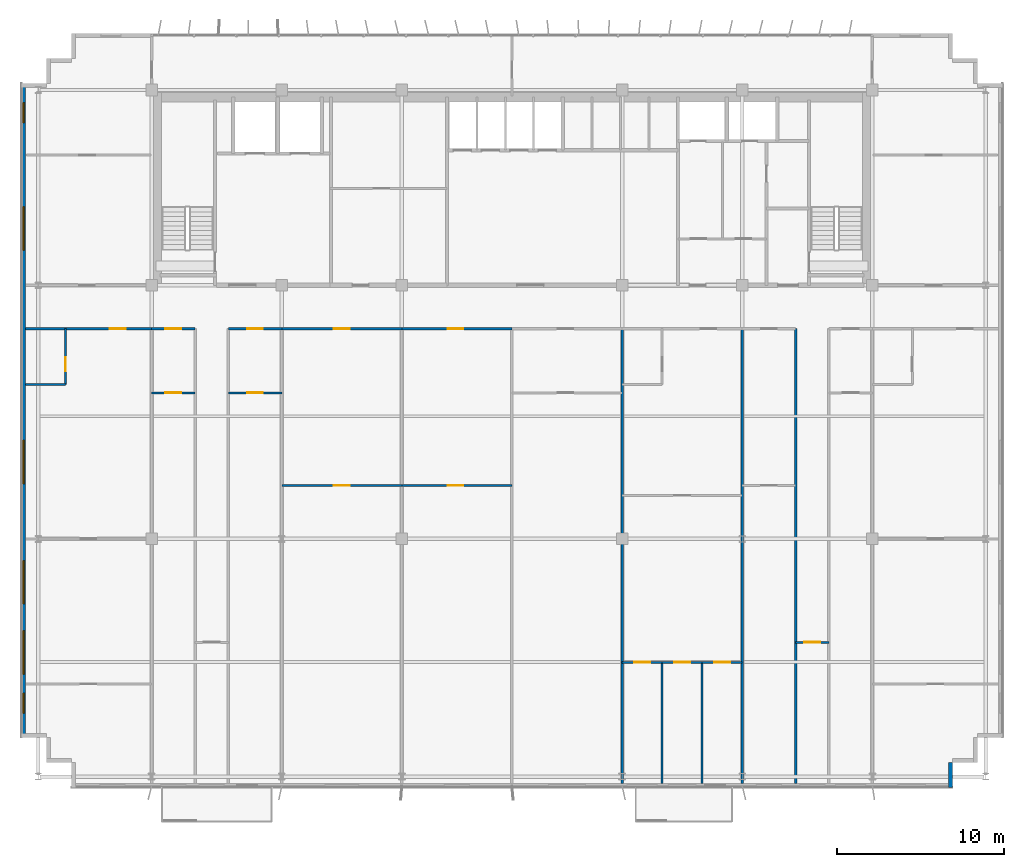
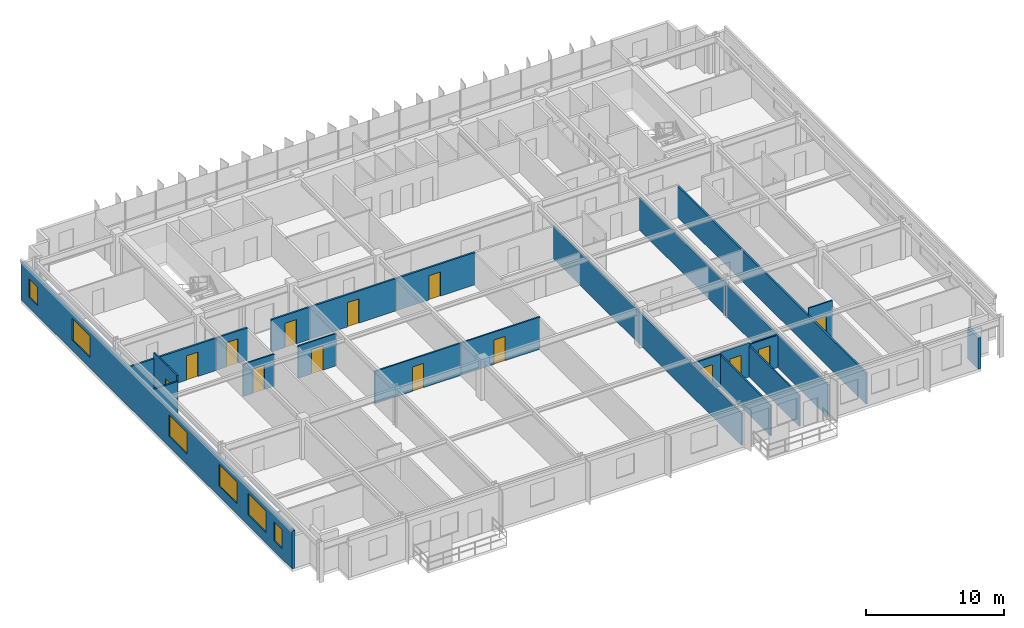
# One storey, part 15 of 20: 22 walls, 14 doors, 6 windows, 20 openings.
"""IFC4 building model written with IfcOpenShell, lengths in metres."""

from ifc_helpers import new_model, si_unit, direction, frame, frame_2d, origin, place, context, subcontext, project, spatial, rectangle, extrude, source, transform, mapped, material, layer, layer_set, type_object, element, fill, save


model = new_model("IFC4")

# Units and contexts
model_context = context("Model", 3, precision=1e-05, world=origin(), true_north=direction((0.0, 1.0)))
body_context = subcontext(model_context, "Body", "Model", "MODEL_VIEW")
ifc_project = project(units=[si_unit("LENGTHUNIT", "METRE"), si_unit("AREAUNIT", "SQUARE_METRE"), si_unit("VOLUMEUNIT", "CUBIC_METRE"), si_unit("PLANEANGLEUNIT", "RADIAN"), si_unit("MASSUNIT", "GRAM", prefix="KILO")], contexts=[model_context])

# Site, building, storey
site_placement = place(None, origin())
site = spatial("IfcSite", under=ifc_project, at=site_placement, CompositionType="ELEMENT")
building_placement = place(site_placement, origin())
building = spatial("IfcBuilding", under=site, at=building_placement, Name="Trelvane Seafront Commons", CompositionType="ELEMENT")
storey_placement = place(building_placement, frame((0.0, 0.0, 168.10009765625)))
storey = spatial("IfcBuildingStorey", under=building, at=storey_placement, Name="L44", CompositionType="ELEMENT", Elevation=168.10009765625)

# Wall, openings, windows
ifc_material_1 = material(Name="Precast concrete C40/50", Category="concrete")
ifc_layer_1 = layer(ifc_material_1, 0.239990234375, Name="ARCH-WALL-EXT240")
ifc_layer_set_1 = layer_set([ifc_layer_1], Name="Precast concrete C40/50")
wall_type_1 = type_object("IfcWallType", Name="ARCH-WALL-EXT240", PredefinedType="SOLIDWALL", material=ifc_layer_set_1)
wall_1_placement = place(storey_placement, frame((7.919921875, 6.300048828125, 0.0), z_axis=(0.0, 0.0, 1.0), x_axis=(0.0, 1.0, 0.0)))
wall_1 = element("IfcWall", 1, at=wall_1_placement, inside=storey, type_object=wall_type_1, Name="EW-L44-00868", PredefinedType="SOLIDWALL", context=body_context, shape_type="SweptSolid", body=[
    extrude(rectangle(XDim=39.199951171875, YDim=0.239990234375, at=frame_2d((19.60009765625, 0.0))), origin(), (0.0, 0.0, 1.0), 3.349853515625),
])
opening_1_placement = place(wall_1_placement, frame((1.449951171875, 0.0, 0.919921875)))
opening_1 = element("IfcOpeningElement", 2, at=opening_1_placement, cuts=wall_1, Name="Opening W05", PredefinedType="OPENING", context=body_context, shape_type="SweptSolid", body=[
    extrude(rectangle(XDim=1.199951171875, YDim=1.64990234375, at=frame_2d((0.60009765625, 0.824951171875))), frame((0.0, 0.1298828125, 0.0), z_axis=(0.0, -1.0, 0.0), x_axis=(1.0, 0.0, 0.0)), (0.0, 0.0, 1.0), 0.260009765625),
])
opening_2_placement = place(wall_1_placement, frame((3.800048828125, 0.0, 0.919921875)))
opening_2 = element("IfcOpeningElement", 3, at=opening_2_placement, cuts=wall_1, Name="Opening W04", PredefinedType="OPENING", context=body_context, shape_type="SweptSolid", body=[
    extrude(rectangle(XDim=2.60009765625, YDim=1.89990234375, at=frame_2d((1.300048828125, 0.949951171875))), frame((0.0, 0.1298828125, 0.0), z_axis=(0.0, -1.0, 0.0), x_axis=(1.0, 0.0, 0.0)), (0.0, 0.0, 1.0), 0.260009765625),
])
opening_3_placement = place(wall_1_placement, frame((8.0, 0.0, 0.919921875)))
opening_3 = element("IfcOpeningElement", 4, at=opening_3_placement, cuts=wall_1, Name="Opening W04", PredefinedType="OPENING", context=body_context, shape_type="SweptSolid", body=[
    extrude(rectangle(XDim=2.60009765625, YDim=1.89990234375, at=frame_2d((1.300048828125, 0.949951171875))), frame((0.0, 0.1298828125, 0.0), z_axis=(0.0, -1.0, 0.0), x_axis=(1.0, 0.0, 0.0)), (0.0, 0.0, 1.0), 0.260009765625),
])
opening_4_placement = place(wall_1_placement, frame((15.199951171875, 0.0, 0.919921875)))
opening_4 = element("IfcOpeningElement", 5, at=opening_4_placement, cuts=wall_1, Name="Opening W04", PredefinedType="OPENING", context=body_context, shape_type="SweptSolid", body=[
    extrude(rectangle(XDim=2.60009765625, YDim=1.89990234375, at=frame_2d((1.300048828125, 0.949951171875))), frame((0.0, 0.1298828125, 0.0), z_axis=(0.0, -1.0, 0.0), x_axis=(1.0, 0.0, 0.0)), (0.0, 0.0, 1.0), 0.260009765625),
])
opening_5_placement = place(wall_1_placement, frame((29.199951171875, 0.0, 0.919921875)))
opening_5 = element("IfcOpeningElement", 6, at=opening_5_placement, cuts=wall_1, Name="Opening W04", PredefinedType="OPENING", context=body_context, shape_type="SweptSolid", body=[
    extrude(rectangle(XDim=2.60009765625, YDim=1.89990234375, at=frame_2d((1.300048828125, 0.949951171875))), frame((0.0, 0.1298828125, 0.0), z_axis=(0.0, -1.0, 0.0), x_axis=(1.0, 0.0, 0.0)), (0.0, 0.0, 1.0), 0.260009765625),
])
opening_6_placement = place(wall_1_placement, frame((36.85009765625, 0.0, 0.919921875)))
opening_6 = element("IfcOpeningElement", 7, at=opening_6_placement, cuts=wall_1, Name="Opening W05", PredefinedType="OPENING", context=body_context, shape_type="SweptSolid", body=[
    extrude(rectangle(XDim=1.199951171875, YDim=1.64990234375, at=frame_2d((0.60009765625, 0.824951171875))), frame((0.0, 0.1298828125, 0.0), z_axis=(0.0, -1.0, 0.0), x_axis=(1.0, 0.0, 0.0)), (0.0, 0.0, 1.0), 0.260009765625),
])
ifc_material_2 = material(Name="Low-E coastal double glazing", Category="glass")
window_type_1 = type_object("IfcWindowType", Name="ARCH-WIN-W04", PartitioningType="SINGLE_PANEL", PredefinedType="WINDOW", material=ifc_material_2)
shared_shape_1 = source(origin(), body_context, "Body", "SweptSolid", [
    extrude(rectangle(XDim=2.60009765625, YDim=1.89990234375, at=frame_2d((1.300048828125, 0.949951171875))), frame((0.0, 0.030029296875, 0.0), z_axis=(0.0, -1.0, 0.0), x_axis=(1.0, 0.0, 0.0)), (0.0, 0.0, 1.0), 0.06005859375),
])
window_1_placement = place(opening_2_placement, origin())
window_1 = element("IfcWindow", 8, at=window_1_placement, inside=storey, type_object=window_type_1, Name="WIN-L44-EW-01041", OverallHeight=1.89990234375, OverallWidth=2.60009765625, PartitioningType="SINGLE_PANEL", PredefinedType="WINDOW", context=body_context, shape_type="MappedRepresentation", body=[
    mapped(shared_shape_1, transform((0.0, 0.0, 0.0), x_axis=(1.0, 0.0, 0.0), y_axis=(0.0, 1.0, 0.0), z_axis=(0.0, 0.0, 1.0), scale=1.0)),
])
fill(opening_2, window_1)
window_2_placement = place(opening_3_placement, origin())
window_2 = element("IfcWindow", 9, at=window_2_placement, inside=storey, type_object=window_type_1, Name="WIN-L44-EW-01042", OverallHeight=1.89990234375, OverallWidth=2.60009765625, PartitioningType="SINGLE_PANEL", PredefinedType="WINDOW", context=body_context, shape_type="MappedRepresentation", body=[
    mapped(shared_shape_1, transform((0.0, 0.0, 0.0), x_axis=(1.0, 0.0, 0.0), y_axis=(0.0, 1.0, 0.0), z_axis=(0.0, 0.0, 1.0), scale=1.0)),
])
fill(opening_3, window_2)
window_3_placement = place(opening_4_placement, origin())
window_3 = element("IfcWindow", 10, at=window_3_placement, inside=storey, type_object=window_type_1, Name="WIN-L44-EW-01043", OverallHeight=1.89990234375, OverallWidth=2.60009765625, PartitioningType="SINGLE_PANEL", PredefinedType="WINDOW", context=body_context, shape_type="MappedRepresentation", body=[
    mapped(shared_shape_1, transform((0.0, 0.0, 0.0), x_axis=(1.0, 0.0, 0.0), y_axis=(0.0, 1.0, 0.0), z_axis=(0.0, 0.0, 1.0), scale=1.0)),
])
fill(opening_4, window_3)
window_4_placement = place(opening_5_placement, origin())
window_4 = element("IfcWindow", 11, at=window_4_placement, inside=storey, type_object=window_type_1, Name="WIN-L44-EW-01044", OverallHeight=1.89990234375, OverallWidth=2.60009765625, PartitioningType="SINGLE_PANEL", PredefinedType="WINDOW", context=body_context, shape_type="MappedRepresentation", body=[
    mapped(shared_shape_1, transform((0.0, 0.0, 0.0), x_axis=(1.0, 0.0, 0.0), y_axis=(0.0, 1.0, 0.0), z_axis=(0.0, 0.0, 1.0), scale=1.0)),
])
fill(opening_5, window_4)
window_type_2 = type_object("IfcWindowType", Name="ARCH-WIN-W05", PartitioningType="SINGLE_PANEL", PredefinedType="WINDOW", material=ifc_material_2)
shared_shape_2 = source(origin(), body_context, "Body", "SweptSolid", [
    extrude(rectangle(XDim=1.199951171875, YDim=1.64990234375, at=frame_2d((0.60009765625, 0.824951171875))), frame((0.0, 0.030029296875, 0.0), z_axis=(0.0, -1.0, 0.0), x_axis=(1.0, 0.0, 0.0)), (0.0, 0.0, 1.0), 0.06005859375),
])
window_5_placement = place(opening_1_placement, origin())
window_5 = element("IfcWindow", 12, at=window_5_placement, inside=storey, type_object=window_type_2, Name="WIN-L44-EW-01040", OverallHeight=1.64990234375, OverallWidth=1.199951171875, PartitioningType="SINGLE_PANEL", PredefinedType="WINDOW", context=body_context, shape_type="MappedRepresentation", body=[
    mapped(shared_shape_2, transform((0.0, 0.0, 0.0), x_axis=(1.0, 0.0, 0.0), y_axis=(0.0, 1.0, 0.0), z_axis=(0.0, 0.0, 1.0), scale=1.0)),
])
fill(opening_1, window_5)
window_6_placement = place(opening_6_placement, origin())
window_6 = element("IfcWindow", 13, at=window_6_placement, inside=storey, type_object=window_type_2, Name="WIN-L44-EW-01045", OverallHeight=1.64990234375, OverallWidth=1.199951171875, PartitioningType="SINGLE_PANEL", PredefinedType="WINDOW", context=body_context, shape_type="MappedRepresentation", body=[
    mapped(shared_shape_2, transform((0.0, 0.0, 0.0), x_axis=(1.0, 0.0, 0.0), y_axis=(0.0, 1.0, 0.0), z_axis=(0.0, 0.0, 1.0), scale=1.0)),
])
fill(opening_6, window_6)

# Wall
wall_2_placement = place(storey_placement, frame((63.47998046875, 4.800048828125, 0.0), z_axis=(0.0, 0.0, 1.0), x_axis=(0.0, -1.0, 0.0)))
element("IfcWall", 14, at=wall_2_placement, inside=storey, type_object=wall_type_1, Name="EW-L44-00881", PredefinedType="SOLIDWALL", context=body_context, shape_type="SweptSolid", body=[
    extrude(rectangle(XDim=1.5, YDim=0.239990234375, at=frame_2d((0.75, 0.0))), origin(), (0.0, 0.0, 1.0), 2.75),
])

# Wall, opening, door
ifc_material_3 = material(Name="Gypsum Drywall Acoustic Partition")
ifc_layer_2 = layer(ifc_material_3, 0.1201171875, Name="ARCH-WALL-PART120")
ifc_layer_set_2 = layer_set([ifc_layer_2], Name="Gypsum Drywall Acoustic Partition")
wall_type_2 = type_object("IfcWallType", Name="ARCH-WALL-PART120", PredefinedType="PARTITIONING", material=ifc_layer_set_2)
wall_3_placement = place(storey_placement, frame((10.43994140625, 27.449951171875, 0.0), z_axis=(0.0, 0.0, 1.0), x_axis=(0.0, 1.0, 0.0)))
wall_3 = element("IfcWall", 15, at=wall_3_placement, inside=storey, type_object=wall_type_2, Name="W-L44-U1-BE-051", PredefinedType="PARTITIONING", context=body_context, shape_type="SweptSolid", body=[
    extrude(rectangle(XDim=3.35009765625, YDim=0.1201171875, at=frame_2d((1.675048828125, 0.0))), origin(), (0.0, 0.0, 1.0), 3.349853515625),
])
opening_7_placement = place(wall_3_placement, frame((0.800048828125, 0.0, 0.0)))
opening_7 = element("IfcOpeningElement", 16, at=opening_7_placement, cuts=wall_3, Name="Opening D-L44-28", PredefinedType="OPENING", context=body_context, shape_type="SweptSolid", body=[
    extrude(rectangle(XDim=0.85009765625, YDim=2.10009765625, at=frame_2d((0.425048828125, 1.050048828125))), frame((0.0, 0.070068359375, 0.0), z_axis=(0.0, -1.0, 0.0), x_axis=(1.0, 0.0, 0.0)), (0.0, 0.0, 1.0), 0.14013671875),
])
ifc_material_4 = material(Name="Acoustic timber door leaf", Category="wood")
door_type_1 = type_object("IfcDoorType", Name="ARCH-DR-INT850", OperationType="NOTDEFINED", PredefinedType="DOOR", material=ifc_material_4)
shared_shape_3 = source(origin(), body_context, "Body", "SweptSolid", [
    extrude(rectangle(XDim=0.85009765625, YDim=2.10009765625, at=frame_2d((0.425048828125, 1.050048828125))), frame((0.0, 0.02490234375, 0.0), z_axis=(0.0, -1.0, 0.0), x_axis=(1.0, 0.0, 0.0)), (0.0, 0.0, 1.0), 0.050048828125),
])
door_1_placement = place(opening_7_placement, origin())
door_1 = element("IfcDoor", 17, at=door_1_placement, inside=storey, type_object=door_type_1, Name="L44 Door 28", OperationType="SINGLE_SWING_RIGHT", OverallHeight=2.10009765625, OverallWidth=0.85009765625, PredefinedType="DOOR", context=body_context, shape_type="MappedRepresentation", body=[
    mapped(shared_shape_3, transform((0.0, 0.0, 0.0), x_axis=(1.0, 0.0, 0.0), y_axis=(0.0, 1.0, 0.0), z_axis=(0.0, 0.0, 1.0), scale=1.0)),
])
fill(opening_7, door_1)

# Wall
wall_4_placement = place(storey_placement, frame((8.0400390625, 27.449951171875, 0.0), z_axis=(0.0, 0.0, 1.0), x_axis=(1.0, 0.0, 0.0)))
element("IfcWall", 18, at=wall_4_placement, inside=storey, type_object=wall_type_2, Name="W-L44-U1-BS-052", PredefinedType="PARTITIONING", context=body_context, shape_type="SweptSolid", body=[
    extrude(rectangle(XDim=2.39990234375, YDim=0.1201171875, at=frame_2d((1.199951171875, 0.0))), origin(), (0.0, 0.0, 1.0), 2.849853515625),
])

# Wall, opening, door
wall_5_placement = place(storey_placement, frame((15.60009765625, 26.949951171875, 0.0), z_axis=(0.0, 0.0, 1.0), x_axis=(1.0, 0.0, 0.0)))
wall_5 = element("IfcWall", 19, at=wall_5_placement, inside=storey, type_object=wall_type_2, Name="W-L44-U2-DIV-056", PredefinedType="PARTITIONING", context=body_context, shape_type="SweptSolid", body=[
    extrude(rectangle(XDim=2.599853515625, YDim=0.1201171875, at=frame_2d((1.2998046875, 0.0))), origin(), (0.0, 0.0, 1.0), 2.849853515625),
])
opening_8_placement = place(wall_5_placement, frame((0.824951171875, 0.0, 0.0)))
opening_8 = element("IfcOpeningElement", 20, at=opening_8_placement, cuts=wall_5, Name="Opening D-L44-32", PredefinedType="OPENING", context=body_context, shape_type="SweptSolid", body=[
    extrude(rectangle(XDim=0.949951171875, YDim=2.14990234375, at=frame_2d((0.47509765625, 1.074951171875))), frame((0.0, 0.070068359375, 0.0), z_axis=(0.0, -1.0, 0.0), x_axis=(1.0, 0.0, 0.0)), (0.0, 0.0, 1.0), 0.14013671875),
])
door_type_2 = type_object("IfcDoorType", Name="ARCH-DR-INT950", OperationType="NOTDEFINED", PredefinedType="DOOR", material=ifc_material_4)
shared_shape_4 = source(origin(), body_context, "Body", "SweptSolid", [
    extrude(rectangle(XDim=0.949951171875, YDim=2.14990234375, at=frame_2d((0.47509765625, 1.074951171875))), frame((0.0, 0.02490234375, 0.0), z_axis=(0.0, -1.0, 0.0), x_axis=(1.0, 0.0, 0.0)), (0.0, 0.0, 1.0), 0.050048828125),
])
door_2_placement = place(opening_8_placement, origin())
door_2 = element("IfcDoor", 21, at=door_2_placement, inside=storey, type_object=door_type_2, Name="L44 Door 32", OperationType="SINGLE_SWING_RIGHT", OverallHeight=2.14990234375, OverallWidth=0.949951171875, PredefinedType="DOOR", context=body_context, shape_type="MappedRepresentation", body=[
    mapped(shared_shape_4, transform((0.0, 0.0, 0.0), x_axis=(1.0, 0.0, 0.0), y_axis=(0.0, 1.0, 0.0), z_axis=(0.0, 0.0, 1.0), scale=1.0)),
])
fill(opening_8, door_2)

wall_6_placement = place(storey_placement, frame((20.199951171875, 26.949951171875, 0.0), z_axis=(0.0, 0.0, 1.0), x_axis=(1.0, 0.0, 0.0)))
wall_6 = element("IfcWall", 22, at=wall_6_placement, inside=storey, type_object=wall_type_2, Name="W-L44-U4-DIV-061", PredefinedType="PARTITIONING", context=body_context, shape_type="SweptSolid", body=[
    extrude(rectangle(XDim=3.199951171875, YDim=0.1201171875, at=frame_2d((1.60009765625, 0.0))), origin(), (0.0, 0.0, 1.0), 2.849853515625),
])
opening_9_placement = place(wall_6_placement, frame((1.125, 0.0, 0.0)))
opening_9 = element("IfcOpeningElement", 23, at=opening_9_placement, cuts=wall_6, Name="Opening D-L44-35", PredefinedType="OPENING", context=body_context, shape_type="SweptSolid", body=[
    extrude(rectangle(XDim=0.949951171875, YDim=2.14990234375, at=frame_2d((0.47509765625, 1.074951171875))), frame((0.0, 0.070068359375, 0.0), z_axis=(0.0, -1.0, 0.0), x_axis=(1.0, 0.0, 0.0)), (0.0, 0.0, 1.0), 0.14013671875),
])
door_3_placement = place(opening_9_placement, origin())
door_3 = element("IfcDoor", 24, at=door_3_placement, inside=storey, type_object=door_type_2, Name="L44 Door 35", OperationType="SINGLE_SWING_LEFT", OverallHeight=2.14990234375, OverallWidth=0.949951171875, PredefinedType="DOOR", context=body_context, shape_type="MappedRepresentation", body=[
    mapped(shared_shape_4, transform((0.0, 0.0, 0.0), x_axis=(1.0, 0.0, 0.0), y_axis=(0.0, 1.0, 0.0), z_axis=(0.0, 0.0, 1.0), scale=1.0)),
])
fill(opening_9, door_3)

wall_7_placement = place(storey_placement, frame((23.39990234375, 21.39990234375, 0.0), z_axis=(0.0, 0.0, 1.0), x_axis=(1.0, 0.0, 0.0)))
wall_7 = element("IfcWall", 25, at=wall_7_placement, inside=storey, type_object=wall_type_2, Name="W-L44-U5-DIV-063", PredefinedType="PARTITIONING", context=body_context, shape_type="SweptSolid", body=[
    extrude(rectangle(XDim=7.2001953125, YDim=0.1201171875, at=frame_2d((3.60009765625, 0.0))), origin(), (0.0, 0.0, 1.0), 2.849853515625),
])
opening_10_placement = place(wall_7_placement, frame((3.125, 0.0, 0.0)))
opening_10 = element("IfcOpeningElement", 26, at=opening_10_placement, cuts=wall_7, Name="Opening D-L44-37", PredefinedType="OPENING", context=body_context, shape_type="SweptSolid", body=[
    extrude(rectangle(XDim=0.949951171875, YDim=2.14990234375, at=frame_2d((0.47509765625, 1.074951171875))), frame((0.0, 0.070068359375, 0.0), z_axis=(0.0, -1.0, 0.0), x_axis=(1.0, 0.0, 0.0)), (0.0, 0.0, 1.0), 0.14013671875),
])
door_4_placement = place(opening_10_placement, origin())
door_4 = element("IfcDoor", 27, at=door_4_placement, inside=storey, type_object=door_type_2, Name="L44 Door 37", OperationType="SINGLE_SWING_LEFT", OverallHeight=2.14990234375, OverallWidth=0.949951171875, PredefinedType="DOOR", context=body_context, shape_type="MappedRepresentation", body=[
    mapped(shared_shape_4, transform((0.0, 0.0, 0.0), x_axis=(1.0, 0.0, 0.0), y_axis=(0.0, 1.0, 0.0), z_axis=(0.0, 0.0, 1.0), scale=1.0)),
])
fill(opening_10, door_4)

wall_8_placement = place(storey_placement, frame((30.60009765625, 21.39990234375, 0.0), z_axis=(0.0, 0.0, 1.0), x_axis=(1.0, 0.0, 0.0)))
wall_8 = element("IfcWall", 28, at=wall_8_placement, inside=storey, type_object=wall_type_2, Name="W-L44-U6-DIV-065", PredefinedType="PARTITIONING", context=body_context, shape_type="SweptSolid", body=[
    extrude(rectangle(XDim=6.599853515625, YDim=0.1201171875, at=frame_2d((3.2998046875, 0.0))), origin(), (0.0, 0.0, 1.0), 2.849853515625),
])
opening_11_placement = place(wall_8_placement, frame((2.73388671875, 0.0, 0.0)))
opening_11 = element("IfcOpeningElement", 29, at=opening_11_placement, cuts=wall_8, Name="Opening D-L44-39", PredefinedType="OPENING", context=body_context, shape_type="SweptSolid", body=[
    extrude(rectangle(XDim=0.949951171875, YDim=2.14990234375, at=frame_2d((0.47509765625, 1.074951171875))), frame((0.0, 0.070068359375, 0.0), z_axis=(0.0, -1.0, 0.0), x_axis=(1.0, 0.0, 0.0)), (0.0, 0.0, 1.0), 0.14013671875),
])
door_5_placement = place(opening_11_placement, origin())
door_5 = element("IfcDoor", 30, at=door_5_placement, inside=storey, type_object=door_type_2, Name="L44 Door 39", OperationType="SINGLE_SWING_LEFT", OverallHeight=2.14990234375, OverallWidth=0.949951171875, PredefinedType="DOOR", context=body_context, shape_type="MappedRepresentation", body=[
    mapped(shared_shape_4, transform((0.0, 0.0, 0.0), x_axis=(1.0, 0.0, 0.0), y_axis=(0.0, 1.0, 0.0), z_axis=(0.0, 0.0, 1.0), scale=1.0)),
])
fill(opening_11, door_5)

wall_9_placement = place(storey_placement, frame((43.800048828125, 10.800048828125, 0.0), z_axis=(0.0, 0.0, 1.0), x_axis=(1.0, 0.0, 0.0)))
wall_9 = element("IfcWall", 31, at=wall_9_placement, inside=storey, type_object=wall_type_2, Name="W-L44-U8-YM-1-072", PredefinedType="PARTITIONING", context=body_context, shape_type="SweptSolid", body=[
    extrude(rectangle(XDim=2.39990234375, YDim=0.1201171875, at=frame_2d((1.199951171875, 0.0))), origin(), (0.0, 0.0, 1.0), 2.849853515625),
])
opening_12_placement = place(wall_9_placement, frame((0.72509765625, 0.0, 0.0)))
opening_12 = element("IfcOpeningElement", 32, at=opening_12_placement, cuts=wall_9, Name="Opening D-L44-45", PredefinedType="OPENING", context=body_context, shape_type="SweptSolid", body=[
    extrude(rectangle(XDim=0.949951171875, YDim=2.14990234375, at=frame_2d((0.47509765625, 1.074951171875))), frame((0.0, 0.070068359375, 0.0), z_axis=(0.0, -1.0, 0.0), x_axis=(1.0, 0.0, 0.0)), (0.0, 0.0, 1.0), 0.14013671875),
])
door_6_placement = place(opening_12_placement, origin())
door_6 = element("IfcDoor", 33, at=door_6_placement, inside=storey, type_object=door_type_2, Name="L44 Door 45", OperationType="SINGLE_SWING_LEFT", OverallHeight=2.14990234375, OverallWidth=0.949951171875, PredefinedType="DOOR", context=body_context, shape_type="MappedRepresentation", body=[
    mapped(shared_shape_4, transform((0.0, 0.0, 0.0), x_axis=(1.0, 0.0, 0.0), y_axis=(0.0, 1.0, 0.0), z_axis=(0.0, 0.0, 1.0), scale=1.0)),
])
fill(opening_12, door_6)

wall_10_placement = place(storey_placement, frame((46.199951171875, 10.800048828125, 0.0), z_axis=(0.0, 0.0, 1.0), x_axis=(1.0, 0.0, 0.0)))
wall_10 = element("IfcWall", 34, at=wall_10_placement, inside=storey, type_object=wall_type_2, Name="W-L44-U8-YM-2-073", PredefinedType="PARTITIONING", context=body_context, shape_type="SweptSolid", body=[
    extrude(rectangle(XDim=2.400146484375, YDim=0.1201171875, at=frame_2d((1.2001953125, 0.0))), origin(), (0.0, 0.0, 1.0), 3.0),
])
opening_13_placement = place(wall_10_placement, frame((0.72509765625, 0.0, 0.0)))
opening_13 = element("IfcOpeningElement", 35, at=opening_13_placement, cuts=wall_10, Name="Opening D-L44-46", PredefinedType="OPENING", context=body_context, shape_type="SweptSolid", body=[
    extrude(rectangle(XDim=0.949951171875, YDim=2.14990234375, at=frame_2d((0.47509765625, 1.074951171875))), frame((0.0, 0.070068359375, 0.0), z_axis=(0.0, -1.0, 0.0), x_axis=(1.0, 0.0, 0.0)), (0.0, 0.0, 1.0), 0.14013671875),
])
door_7_placement = place(opening_13_placement, origin())
door_7 = element("IfcDoor", 36, at=door_7_placement, inside=storey, type_object=door_type_2, Name="L44 Door 46", OperationType="SINGLE_SWING_RIGHT", OverallHeight=2.14990234375, OverallWidth=0.949951171875, PredefinedType="DOOR", context=body_context, shape_type="MappedRepresentation", body=[
    mapped(shared_shape_4, transform((0.0, 0.0, 0.0), x_axis=(1.0, 0.0, 0.0), y_axis=(0.0, 1.0, 0.0), z_axis=(0.0, 0.0, 1.0), scale=1.0)),
])
fill(opening_13, door_7)

# Wall
wall_11_placement = place(storey_placement, frame((46.199951171875, 3.52490234375, 0.0), z_axis=(0.0, 0.0, 1.0), x_axis=(0.0, 1.0, 0.0)))
element("IfcWall", 37, at=wall_11_placement, inside=storey, type_object=wall_type_2, Name="W-L44-U8-BDV-1-074", PredefinedType="PARTITIONING", context=body_context, shape_type="SweptSolid", body=[
    extrude(rectangle(XDim=7.275146484375, YDim=0.1201171875, at=frame_2d((3.6376953125, 0.0))), origin(), (0.0, 0.0, 1.0), 2.75),
])

# Wall, opening, door
wall_12_placement = place(storey_placement, frame((48.60009765625, 10.800048828125, 0.0), z_axis=(0.0, 0.0, 1.0), x_axis=(1.0, 0.0, 0.0)))
wall_12 = element("IfcWall", 38, at=wall_12_placement, inside=storey, type_object=wall_type_2, Name="W-L44-U8-YM-3-075", PredefinedType="PARTITIONING", context=body_context, shape_type="SweptSolid", body=[
    extrude(rectangle(XDim=2.39990234375, YDim=0.1201171875, at=frame_2d((1.199951171875, 0.0))), origin(), (0.0, 0.0, 1.0), 2.849853515625),
])
opening_14_placement = place(wall_12_placement, frame((0.72509765625, 0.0, 0.0)))
opening_14 = element("IfcOpeningElement", 39, at=opening_14_placement, cuts=wall_12, Name="Opening D-L44-47", PredefinedType="OPENING", context=body_context, shape_type="SweptSolid", body=[
    extrude(rectangle(XDim=0.949951171875, YDim=2.14990234375, at=frame_2d((0.47509765625, 1.074951171875))), frame((0.0, 0.070068359375, 0.0), z_axis=(0.0, -1.0, 0.0), x_axis=(1.0, 0.0, 0.0)), (0.0, 0.0, 1.0), 0.14013671875),
])
door_8_placement = place(opening_14_placement, origin())
door_8 = element("IfcDoor", 40, at=door_8_placement, inside=storey, type_object=door_type_2, Name="L44 Door 47", OperationType="SINGLE_SWING_LEFT", OverallHeight=2.14990234375, OverallWidth=0.949951171875, PredefinedType="DOOR", context=body_context, shape_type="MappedRepresentation", body=[
    mapped(shared_shape_4, transform((0.0, 0.0, 0.0), x_axis=(1.0, 0.0, 0.0), y_axis=(0.0, 1.0, 0.0), z_axis=(0.0, 0.0, 1.0), scale=1.0)),
])
fill(opening_14, door_8)

# Wall
wall_13_placement = place(storey_placement, frame((48.60009765625, 3.52490234375, 0.0), z_axis=(0.0, 0.0, 1.0), x_axis=(0.0, 1.0, 0.0)))
element("IfcWall", 41, at=wall_13_placement, inside=storey, type_object=wall_type_2, Name="W-L44-U8-BDV-2-076", PredefinedType="PARTITIONING", context=body_context, shape_type="SweptSolid", body=[
    extrude(rectangle(XDim=7.275146484375, YDim=0.1201171875, at=frame_2d((3.6376953125, 0.0))), origin(), (0.0, 0.0, 1.0), 2.75),
])

# Wall, opening, door
wall_14_placement = place(storey_placement, frame((54.199951171875, 12.0, 0.0), z_axis=(0.0, 0.0, 1.0), x_axis=(1.0, 0.0, 0.0)))
wall_14 = element("IfcWall", 42, at=wall_14_placement, inside=storey, type_object=wall_type_2, Name="W-L44-ARM-END-10-081", PredefinedType="PARTITIONING", context=body_context, shape_type="SweptSolid", body=[
    extrude(rectangle(XDim=2.0, YDim=0.1201171875, at=frame_2d((1.0, 0.0))), origin(), (0.0, 0.0, 1.0), 3.349853515625),
])
opening_15_placement = place(wall_14_placement, frame((0.52001953125, 0.0, 0.0)))
opening_15 = element("IfcOpeningElement", 43, at=opening_15_placement, cuts=wall_14, Name="Opening D-L44-50", PredefinedType="OPENING", context=body_context, shape_type="SweptSolid", body=[
    extrude(rectangle(XDim=0.949951171875, YDim=2.14990234375, at=frame_2d((0.47509765625, 1.074951171875))), frame((0.0, 0.070068359375, 0.0), z_axis=(0.0, -1.0, 0.0), x_axis=(1.0, 0.0, 0.0)), (0.0, 0.0, 1.0), 0.14013671875),
])
door_9_placement = place(opening_15_placement, origin())
door_9 = element("IfcDoor", 44, at=door_9_placement, inside=storey, type_object=door_type_2, Name="L44 Door 50", OperationType="SINGLE_SWING_RIGHT", OverallHeight=2.14990234375, OverallWidth=0.949951171875, PredefinedType="DOOR", context=body_context, shape_type="MappedRepresentation", body=[
    mapped(shared_shape_4, transform((0.0, 0.0, 0.0), x_axis=(1.0, 0.0, 0.0), y_axis=(0.0, 1.0, 0.0), z_axis=(0.0, 0.0, 1.0), scale=1.0)),
])
fill(opening_15, door_9)

# Walls
ifc_layer_3 = layer(ifc_material_3, 0.14990234375, Name="ARCH-WALL-PART150")
ifc_layer_set_3 = layer_set([ifc_layer_3], Name="Gypsum Drywall Acoustic Partition")
wall_type_3 = type_object("IfcWallType", Name="ARCH-WALL-PART150", PredefinedType="PARTITIONING", material=ifc_layer_set_3)
for number, where, z_axis, x_axis, name in (
    (45, (43.800048828125, 3.52490234375, 0.0), (0.0, 0.0, 1.0), (0.0, 1.0, 0.0), "W-L44-PW-7-047"),
    (46, (51.0, 3.52490234375, 0.0), (0.0, 0.0, 1.0), (0.0, 1.0, 0.0), "W-L44-PW-8-048"),
):
    element("IfcWall", number, at=place(storey_placement, frame(where, z_axis=z_axis, x_axis=x_axis)), inside=storey, type_object=wall_type_3, Name=name, PredefinedType="PARTITIONING", context=body_context, shape_type="SweptSolid", body=[
        extrude(rectangle(XDim=27.275146484375, YDim=0.14990234375, at=frame_2d((13.6376953125, 0.0))), origin(), (0.0, 0.0, 1.0), 2.849853515625),
    ])

# Wall, opening, door
wall_15_placement = place(storey_placement, frame((8.02490234375, 30.800048828125, 0.0), z_axis=(0.0, 0.0, 1.0), x_axis=(1.0, 0.0, 0.0)))
wall_15 = element("IfcWall", 47, at=wall_15_placement, inside=storey, type_object=wall_type_3, Name="W-L44-CS-BAY-1-053", PredefinedType="PARTITIONING", context=body_context, shape_type="SweptSolid", body=[
    extrude(rectangle(XDim=7.5751953125, YDim=0.14990234375, at=frame_2d((3.78759765625, 0.0))), origin(), (0.0, 0.0, 1.0), 2.849853515625),
])
opening_16_placement = place(wall_15_placement, frame((5.072998046875, 0.0, 0.0)))
opening_16 = element("IfcOpeningElement", 48, at=opening_16_placement, cuts=wall_15, Name="Opening FD-L44-29", PredefinedType="OPENING", context=body_context, shape_type="SweptSolid", body=[
    extrude(rectangle(XDim=0.949951171875, YDim=2.14990234375, at=frame_2d((0.47509765625, 1.074951171875))), frame((0.0, 0.0849609375, 0.0), z_axis=(0.0, -1.0, 0.0), x_axis=(1.0, 0.0, 0.0)), (0.0, 0.0, 1.0), 0.169921875),
])
ifc_material_5 = material(Name="Powder-coated aluminium frame", Category="aluminium")
door_type_3 = type_object("IfcDoorType", Name="ARCH-DR-FD60-950", OperationType="NOTDEFINED", PredefinedType="DOOR", material=ifc_material_5)
door_10_placement = place(opening_16_placement, origin())
door_10 = element("IfcDoor", 49, at=door_10_placement, inside=storey, type_object=door_type_3, Name="L44 Unit 01 Entrance Door", OperationType="SINGLE_SWING_LEFT", OverallHeight=2.14990234375, OverallWidth=0.949951171875, PredefinedType="DOOR", context=body_context, shape_type="MappedRepresentation", body=[
    mapped(shared_shape_4, transform((0.0, 0.0, 0.0), x_axis=(1.0, 0.0, 0.0), y_axis=(0.0, 1.0, 0.0), z_axis=(0.0, 0.0, 1.0), scale=1.0)),
])
fill(opening_16, door_10)

wall_16_placement = place(storey_placement, frame((15.60009765625, 30.800048828125, 0.0), z_axis=(0.0, 0.0, 1.0), x_axis=(1.0, 0.0, 0.0)))
wall_16 = element("IfcWall", 50, at=wall_16_placement, inside=storey, type_object=wall_type_3, Name="W-L44-CS-BAY-2-055", PredefinedType="PARTITIONING", context=body_context, shape_type="SweptSolid", body=[
    extrude(rectangle(XDim=2.599853515625, YDim=0.14990234375, at=frame_2d((1.2998046875, 0.0))), origin(), (0.0, 0.0, 1.0), 2.849853515625),
])
opening_17_placement = place(wall_16_placement, frame((0.824951171875, 0.0, 0.0)))
opening_17 = element("IfcOpeningElement", 51, at=opening_17_placement, cuts=wall_16, Name="Opening FD-L44-31", PredefinedType="OPENING", context=body_context, shape_type="SweptSolid", body=[
    extrude(rectangle(XDim=0.949951171875, YDim=2.14990234375, at=frame_2d((0.47509765625, 1.074951171875))), frame((0.0, 0.0849609375, 0.0), z_axis=(0.0, -1.0, 0.0), x_axis=(1.0, 0.0, 0.0)), (0.0, 0.0, 1.0), 0.169921875),
])
door_11_placement = place(opening_17_placement, origin())
door_11 = element("IfcDoor", 52, at=door_11_placement, inside=storey, type_object=door_type_3, Name="L44 Bay 02 Entrance Door", OperationType="SINGLE_SWING_LEFT", OverallHeight=2.14990234375, OverallWidth=0.949951171875, PredefinedType="DOOR", context=body_context, shape_type="MappedRepresentation", body=[
    mapped(shared_shape_4, transform((0.0, 0.0, 0.0), x_axis=(1.0, 0.0, 0.0), y_axis=(0.0, 1.0, 0.0), z_axis=(0.0, 0.0, 1.0), scale=1.0)),
])
fill(opening_17, door_11)

wall_17_placement = place(storey_placement, frame((20.199951171875, 30.800048828125, 0.0), z_axis=(0.0, 0.0, 1.0), x_axis=(1.0, 0.0, 0.0)))
wall_17 = element("IfcWall", 53, at=wall_17_placement, inside=storey, type_object=wall_type_3, Name="W-L44-CS-BAY-4-060", PredefinedType="PARTITIONING", context=body_context, shape_type="SweptSolid", body=[
    extrude(rectangle(XDim=3.199951171875, YDim=0.14990234375, at=frame_2d((1.60009765625, 0.0))), origin(), (0.0, 0.0, 1.0), 2.849853515625),
])
opening_18_placement = place(wall_17_placement, frame((1.125, 0.0, 0.0)))
opening_18 = element("IfcOpeningElement", 54, at=opening_18_placement, cuts=wall_17, Name="Opening FD-L44-34", PredefinedType="OPENING", context=body_context, shape_type="SweptSolid", body=[
    extrude(rectangle(XDim=0.949951171875, YDim=2.14990234375, at=frame_2d((0.47509765625, 1.074951171875))), frame((0.0, 0.0849609375, 0.0), z_axis=(0.0, -1.0, 0.0), x_axis=(1.0, 0.0, 0.0)), (0.0, 0.0, 1.0), 0.169921875),
])
door_12_placement = place(opening_18_placement, origin())
door_12 = element("IfcDoor", 55, at=door_12_placement, inside=storey, type_object=door_type_3, Name="L44 Bay 04 Entrance Door", OperationType="SINGLE_SWING_RIGHT", OverallHeight=2.14990234375, OverallWidth=0.949951171875, PredefinedType="DOOR", context=body_context, shape_type="MappedRepresentation", body=[
    mapped(shared_shape_4, transform((0.0, 0.0, 0.0), x_axis=(1.0, 0.0, 0.0), y_axis=(0.0, 1.0, 0.0), z_axis=(0.0, 0.0, 1.0), scale=1.0)),
])
fill(opening_18, door_12)

wall_18_placement = place(storey_placement, frame((23.39990234375, 30.800048828125, 0.0), z_axis=(0.0, 0.0, 1.0), x_axis=(1.0, 0.0, 0.0)))
wall_18 = element("IfcWall", 56, at=wall_18_placement, inside=storey, type_object=wall_type_3, Name="W-L44-CS-BAY-5-062", PredefinedType="PARTITIONING", context=body_context, shape_type="SweptSolid", body=[
    extrude(rectangle(XDim=7.2001953125, YDim=0.14990234375, at=frame_2d((3.60009765625, 0.0))), origin(), (0.0, 0.0, 1.0), 2.849853515625),
])
opening_19_placement = place(wall_18_placement, frame((3.125, 0.0, 0.0)))
opening_19 = element("IfcOpeningElement", 57, at=opening_19_placement, cuts=wall_18, Name="Opening FD-L44-36", PredefinedType="OPENING", context=body_context, shape_type="SweptSolid", body=[
    extrude(rectangle(XDim=0.949951171875, YDim=2.14990234375, at=frame_2d((0.47509765625, 1.074951171875))), frame((0.0, 0.0849609375, 0.0), z_axis=(0.0, -1.0, 0.0), x_axis=(1.0, 0.0, 0.0)), (0.0, 0.0, 1.0), 0.169921875),
])
door_13_placement = place(opening_19_placement, origin())
door_13 = element("IfcDoor", 58, at=door_13_placement, inside=storey, type_object=door_type_3, Name="L44 Bay 05 Entrance Door", OperationType="SINGLE_SWING_RIGHT", OverallHeight=2.14990234375, OverallWidth=0.949951171875, PredefinedType="DOOR", context=body_context, shape_type="MappedRepresentation", body=[
    mapped(shared_shape_4, transform((0.0, 0.0, 0.0), x_axis=(1.0, 0.0, 0.0), y_axis=(0.0, 1.0, 0.0), z_axis=(0.0, 0.0, 1.0), scale=1.0)),
])
fill(opening_19, door_13)

wall_19_placement = place(storey_placement, frame((30.60009765625, 30.800048828125, 0.0), z_axis=(0.0, 0.0, 1.0), x_axis=(1.0, 0.0, 0.0)))
wall_19 = element("IfcWall", 59, at=wall_19_placement, inside=storey, type_object=wall_type_3, Name="W-L44-CS-BAY-6-064", PredefinedType="PARTITIONING", context=body_context, shape_type="SweptSolid", body=[
    extrude(rectangle(XDim=6.599853515625, YDim=0.14990234375, at=frame_2d((3.2998046875, 0.0))), origin(), (0.0, 0.0, 1.0), 2.849853515625),
])
opening_20_placement = place(wall_19_placement, frame((2.73388671875, 0.0, 0.0)))
opening_20 = element("IfcOpeningElement", 60, at=opening_20_placement, cuts=wall_19, Name="Opening FD-L44-38", PredefinedType="OPENING", context=body_context, shape_type="SweptSolid", body=[
    extrude(rectangle(XDim=0.949951171875, YDim=2.14990234375, at=frame_2d((0.47509765625, 1.074951171875))), frame((0.0, 0.0849609375, 0.0), z_axis=(0.0, -1.0, 0.0), x_axis=(1.0, 0.0, 0.0)), (0.0, 0.0, 1.0), 0.169921875),
])
door_14_placement = place(opening_20_placement, origin())
door_14 = element("IfcDoor", 61, at=door_14_placement, inside=storey, type_object=door_type_3, Name="L44 Bay 06 Entrance Door", OperationType="SINGLE_SWING_RIGHT", OverallHeight=2.14990234375, OverallWidth=0.949951171875, PredefinedType="DOOR", context=body_context, shape_type="MappedRepresentation", body=[
    mapped(shared_shape_4, transform((0.0, 0.0, 0.0), x_axis=(1.0, 0.0, 0.0), y_axis=(0.0, 1.0, 0.0), z_axis=(0.0, 0.0, 1.0), scale=1.0)),
])
fill(opening_20, door_14)

# Wall
wall_20_placement = place(storey_placement, frame((54.199951171875, 3.52490234375, 0.0), z_axis=(0.0, 0.0, 1.0), x_axis=(0.0, 1.0, 0.0)))
element("IfcWall", 62, at=wall_20_placement, inside=storey, type_object=wall_type_3, Name="W-L44-ARM-W-10-079", PredefinedType="PARTITIONING", context=body_context, shape_type="SweptSolid", body=[
    extrude(rectangle(XDim=27.275146484375, YDim=0.14990234375, at=frame_2d((13.6376953125, 0.0))), origin(), (0.0, 0.0, 1.0), 2.75),
])

save(model, "model.ifc")
